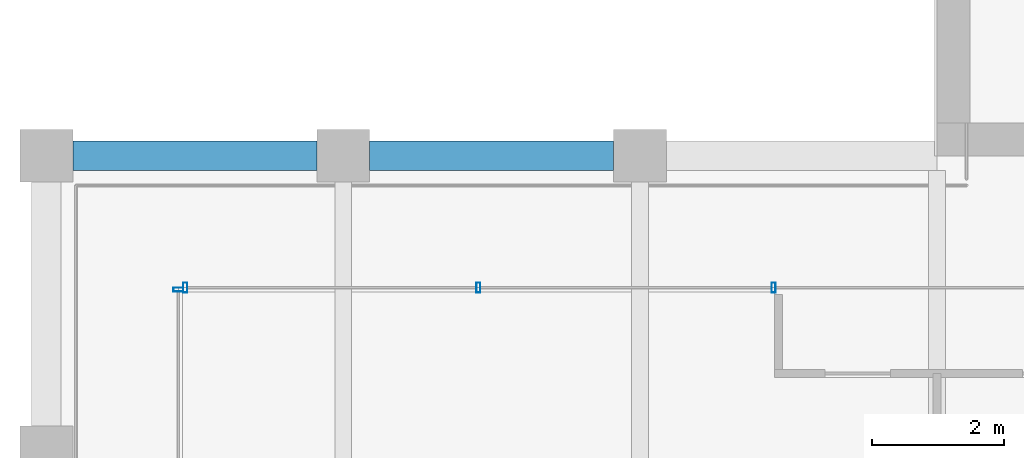
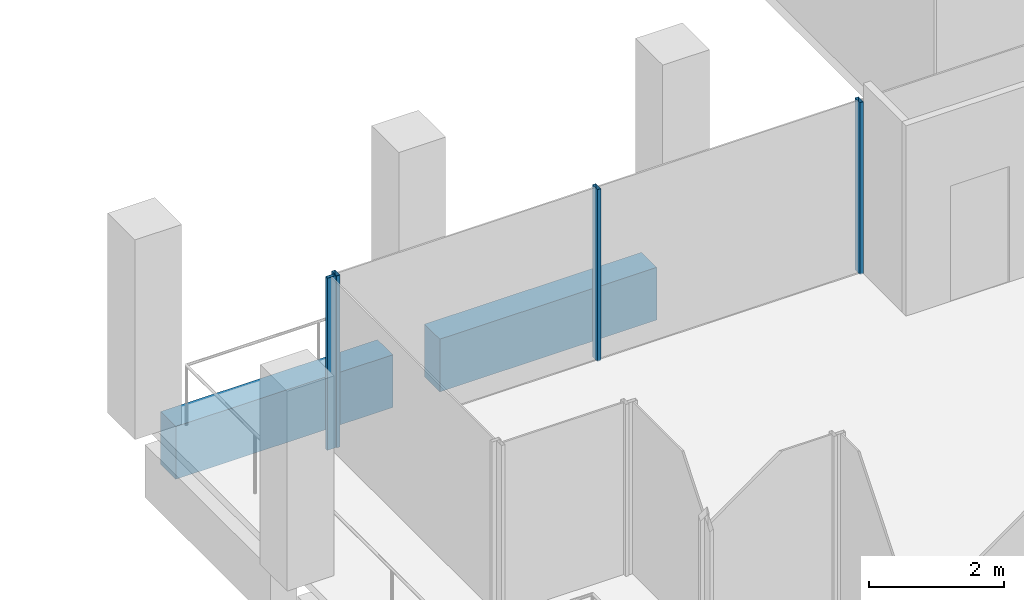
# One storey, part 5 of 30: 4 members, 2 beams, 2 elements without a shape of their own.
"""IFC4 building model written with IfcOpenShell, lengths in metres."""

import ifcopenshell
import ifcopenshell.guid

model = None  # the IFC model being written
_history = None  # IfcOwnerHistory: only IFC2X3 demands one
_inside = {}  # id of a spatial element -> (the spatial element, [elements in it])
_under = {}  # id of a project, library or spatial element -> (it, [spatial elements below it])
_declared = {}  # id of a project -> (the project, [libraries it declares])
_typed = {}  # id of a type object -> (the type object, [elements of that type])
_made_of = {}  # id of a material, layer set ... -> (it, [elements and type objects made of it])


def new_model(schema):
    """Start an empty IFC model of exactly this schema.

    Asked for "IFC4X3", IfcOpenShell would pick the latest addendum, in which some entities
    have other attributes; the version numbers below select the first issue.
    IFC2X3 requires an IfcOwnerHistory on every rooted entity: one is made here for all.
    """
    global model, _history
    if schema == "IFC4X3":
        model = ifcopenshell.file(schema_version=(4, 3, 0, 0))
    else:
        model = ifcopenshell.file(schema=schema)
    _inside.clear()
    _under.clear()
    _declared.clear()
    _typed.clear()
    _made_of.clear()
    _history = None
    if model.schema == "IFC2X3":
        org = make("IfcOrganization", Name="unknown")
        user = make(
            "IfcPersonAndOrganization",
            ThePerson=make("IfcPerson", FamilyName="unknown"),
            TheOrganization=org,
        )
        app = make(
            "IfcApplication",
            ApplicationDeveloper=org,
            Version="unknown",
            ApplicationFullName="unknown",
            ApplicationIdentifier="unknown",
        )
        _history = make(
            "IfcOwnerHistory",
            OwningUser=user,
            OwningApplication=app,
            ChangeAction="ADDED",
            CreationDate=0,
        )
    return model


def make(cls, **values):
    """One entity of the class cls with the attributes given. An attribute that is None is left unset."""
    return model.create_entity(
        cls, **{name: value for name, value in values.items() if value is not None}
    )


def rooted(cls, **values):
    """An entity with a GlobalId (a new one), such as an element, a storey or a relation."""
    return make(cls, GlobalId=ifcopenshell.guid.new(), OwnerHistory=_history, **values)


def si_unit(unit_type, name, prefix=None):
    """IfcSIUnit, for example si_unit("LENGTHUNIT", "METRE", prefix="MILLI")."""
    return make("IfcSIUnit", UnitType=unit_type, Prefix=prefix, Name=name)


def assignment(units):
    """IfcUnitAssignment: the units of a project."""
    return None if units is None else make("IfcUnitAssignment", Units=units)


def point(xyz):
    """IfcCartesianPoint."""
    return None if xyz is None else make("IfcCartesianPoint", Coordinates=xyz)


def direction(xyz):
    """IfcDirection."""
    return None if xyz is None else make("IfcDirection", DirectionRatios=xyz)


def frame(location, z_axis=None, x_axis=None):
    """IfcAxis2Placement3D, a coordinate frame: its origin and axes. An axis left out is left unset."""
    return make(
        "IfcAxis2Placement3D",
        Location=point(location),
        Axis=direction(z_axis),
        RefDirection=direction(x_axis),
    )


def frame_2d(location, x_axis=None):
    """IfcAxis2Placement2D, a coordinate frame in the plane: its origin and x axis."""
    return make(
        "IfcAxis2Placement2D", Location=point(location), RefDirection=direction(x_axis)
    )


def origin():
    """The frame at (0, 0, 0) with its axes left unset."""
    return frame((0.0, 0.0, 0.0))


def origin_2d():
    """The frame at (0, 0) in the plane with its x axis left unset."""
    return frame_2d((0.0, 0.0))


def place(relative_to, where):
    """IfcLocalPlacement: puts the frame where relative to a parent placement (None: the world)."""
    return make(
        "IfcLocalPlacement", PlacementRelTo=relative_to, RelativePlacement=where
    )


def context(
    kind, dimensions, precision=None, world=None, true_north=None, identifier=None
):
    """IfcGeometricRepresentationContext, for example the 3D "Model" context."""
    return make(
        "IfcGeometricRepresentationContext",
        ContextIdentifier=identifier,
        ContextType=kind,
        CoordinateSpaceDimension=dimensions,
        Precision=precision,
        WorldCoordinateSystem=world,
        TrueNorth=true_north,
    )


def subcontext(parent, identifier, kind, view, scale=None):
    """IfcGeometricRepresentationSubContext, for example "Body" below "Model"."""
    return make(
        "IfcGeometricRepresentationSubContext",
        ContextIdentifier=identifier,
        ContextType=kind,
        ParentContext=parent,
        TargetScale=scale,
        TargetView=view,
    )


def project(units=None, contexts=None):
    """IfcProject with its units and contexts."""
    return rooted(
        "IfcProject",
        Name="project",
        RepresentationContexts=contexts,
        UnitsInContext=assignment(units),
    )


def spatial(cls, under=None, at=None, **own):
    """A site, building, storey or space (cls), placed at a placement, below another one or the project."""
    s = rooted(cls, ObjectPlacement=at, **own)
    if under is not None:
        _under.setdefault(under.id(), (under, []))[1].append(s)
    return s


def profile(cls, at=None, kind="AREA", **sizes):
    """A parametric profile (cls). Its sizes go by their IFC names, for example OverallWidth=200.0."""
    return make(cls, ProfileType=kind, Position=at, **sizes)


def rectangle(**sizes):
    """IfcRectangleProfileDef."""
    return profile("IfcRectangleProfileDef", **sizes)


def hollow_rectangle(**sizes):
    """IfcRectangleHollowProfileDef."""
    return profile("IfcRectangleHollowProfileDef", **sizes)


def extrude(swept, where, along, depth):
    """IfcExtrudedAreaSolid: the profile swept, set in the frame where, extruded along a direction by depth."""
    return make(
        "IfcExtrudedAreaSolid",
        SweptArea=swept,
        Position=where,
        ExtrudedDirection=direction(along),
        Depth=depth,
    )


def shape(context_of_items, identifier, shape_type, items):
    """IfcShapeRepresentation: the items that make up one representation, for example the "Body"."""
    return make(
        "IfcShapeRepresentation",
        ContextOfItems=context_of_items,
        RepresentationIdentifier=identifier,
        RepresentationType=shape_type,
        Items=items,
    )


def material(Name=None, Category=None):
    """IfcMaterial."""
    return make("IfcMaterial", Name=Name, Category=Category)


def material_profile(
    of_material, cross_section, Name=None, Category=None, Priority=None
):
    """IfcMaterialProfile: a cross section and its material."""
    return make(
        "IfcMaterialProfile",
        Name=Name,
        Material=of_material,
        Profile=cross_section,
        Priority=Priority,
        Category=Category,
    )


def profile_set(profiles, Name=None, composite=None):
    """IfcMaterialProfileSet."""
    return make(
        "IfcMaterialProfileSet",
        Name=Name,
        MaterialProfiles=profiles,
        CompositeProfile=composite,
    )


def made_of(thing, what):
    """Note that an element or type object is made of a material, layer set ...; save() writes the relation."""
    if what is not None:
        _made_of.setdefault(what.id(), (what, []))[1].append(thing)
    return thing


def type_object(cls, material=None, **own):
    """A type object (cls), such as IfcWallType, which elements share."""
    return made_of(rooted(cls, **own), material)


def element(
    cls,
    number,
    at=None,
    inside=None,
    cuts=None,
    type_object=None,
    material=None,
    context=None,
    identifier="Body",
    shape_type=None,
    held_by="IfcProductDefinitionShape",
    body=None,
    shapes=None,
    **own,
):
    """One element of the class cls, such as IfcWall. Its Tag is "e" and its number.

    at: its placement. inside: the storey or other place that contains it. cuts: it is an
    opening in that element (IfcRelVoidsElement). A single representation is given by context,
    identifier, shape_type and body (its items); several are given by shapes. held_by: the class
    of the entity that holds the representations. save() writes the other relations.
    """
    e = rooted(cls, Tag="e%d" % number, ObjectPlacement=at, **own)
    if body is not None:
        shapes = [shape(context, identifier, shape_type, body)]
    if shapes is not None:
        e.Representation = make(held_by, Representations=shapes)
    if inside is not None:
        _inside.setdefault(inside.id(), (inside, []))[1].append(e)
    if cuts is not None:
        rooted(
            "IfcRelVoidsElement", RelatingBuildingElement=cuts, RelatedOpeningElement=e
        )
    if type_object is not None:
        _typed.setdefault(type_object.id(), (type_object, []))[1].append(e)
    return made_of(e, material)


def aggregate(whole, parts):
    """IfcRelAggregates: a whole, such as a stair, and the parts it consists of."""
    return rooted("IfcRelAggregates", RelatingObject=whole, RelatedObjects=parts)


def save(model, path):
    """Write the relations noted so far, then the file.

    IfcRelAggregates (storeys below a building ...), IfcRelContainedInSpatialStructure (elements
    in a storey), IfcRelDefinesByType, IfcRelAssociatesMaterial and IfcRelDeclares: one each for
    every whole, place, type object, material and project.
    """
    for whole, parts in _under.values():
        aggregate(whole, parts)
    for where, things in _inside.values():
        rooted(
            "IfcRelContainedInSpatialStructure",
            RelatedElements=things,
            RelatingStructure=where,
        )
    for kind, things in _typed.values():
        rooted("IfcRelDefinesByType", RelatedObjects=things, RelatingType=kind)
    for what, things in _made_of.values():
        rooted("IfcRelAssociatesMaterial", RelatedObjects=things, RelatingMaterial=what)
    for by, libraries in _declared.values():
        rooted("IfcRelDeclares", RelatingContext=by, RelatedDefinitions=libraries)
    model.write(path)


model = new_model("IFC4")

# Units and contexts
model_context = context("Model", 3, precision=1e-05, world=origin(), true_north=direction((0.0, 1.0)))
body_context = subcontext(model_context, "Body", "Model", "MODEL_VIEW")
ifc_project = project(units=[si_unit("LENGTHUNIT", "METRE"), si_unit("AREAUNIT", "SQUARE_METRE"), si_unit("VOLUMEUNIT", "CUBIC_METRE"), si_unit("PLANEANGLEUNIT", "RADIAN"), si_unit("MASSUNIT", "GRAM", prefix="KILO")], contexts=[model_context])

# Site, building, storey
site_placement = place(None, origin())
site = spatial("IfcSite", under=ifc_project, at=site_placement, CompositionType="ELEMENT")
building_placement = place(site_placement, origin())
building = spatial("IfcBuilding", under=site, at=building_placement, Name="Altepetl Exchange Towers", CompositionType="ELEMENT")
storey_placement = place(building_placement, frame((0.0, 0.0, 235.199951171875)))
storey = spatial("IfcBuildingStorey", under=building, at=storey_placement, Name="L60", CompositionType="ELEMENT", Elevation=235.199951171875)

# Curtain wall, members
ifc_material_1 = material(Name="Aluminium 6063-T6 glazing", Category="aluminium")
curtain_wall_type = type_object("IfcCurtainWallType", Name="Loggia glazing system", PredefinedType="NOTDEFINED", material=ifc_material_1)
curtain_wall_1_placement = place(storey_placement, origin())
curtain_wall_1 = element("IfcCurtainWall", 1, at=curtain_wall_1_placement, inside=storey, type_object=curtain_wall_type, Name="CW1 run", PredefinedType="NOTDEFINED")
ifc_material_2 = material(Name="Aluminium 6063-T6", Category="aluminium")
ifc_material_profile_1 = material_profile(ifc_material_2, hollow_rectangle(XDim=0.06005859375, YDim=0.14990234375, WallThickness=0.0029296875, at=origin_2d()), Name="Mullion 60x150 aluminium")
ifc_profile_set_1 = profile_set([ifc_material_profile_1], Name="Aluminium 6063-T6")
member_type = type_object("IfcMemberType", Name="Mullion 60x150 aluminium", PredefinedType="MULLION", material=ifc_profile_set_1)
member_1_placement = place(storey_placement, frame((38.02490234375, 38.5, 0.0), z_axis=(0.0, 0.0, 1.0), x_axis=(-1.0, 0.0, 0.0)))
member_1 = element("IfcMember", 2, at=member_1_placement, type_object=member_type, Name="MU1 mullion", PredefinedType="MULLION", context=body_context, shape_type="SweptSolid", body=[
    extrude(hollow_rectangle(XDim=0.06005859375, YDim=0.14990234375, WallThickness=0.0029296875, at=origin_2d()), origin(), (0.0, 0.0, 1.0), 3.10009765625),
])
member_2_placement = place(storey_placement, frame((33.550048828125, 38.5, 0.0), z_axis=(0.0, 0.0, 1.0), x_axis=(-1.0, 0.0, 0.0)))
member_2 = element("IfcMember", 3, at=member_2_placement, type_object=member_type, Name="MU1 mullion", PredefinedType="MULLION", context=body_context, shape_type="SweptSolid", body=[
    extrude(hollow_rectangle(XDim=0.06005859375, YDim=0.14990234375, WallThickness=0.0029296875, at=origin_2d()), origin(), (0.0, 0.0, 1.0), 3.10009765625),
])
member_3_placement = place(storey_placement, frame((29.10498046875, 38.5, 0.0), z_axis=(0.0, 0.0, 1.0), x_axis=(-1.0, 0.0, 0.0)))
member_3 = element("IfcMember", 4, at=member_3_placement, type_object=member_type, Name="MU1 mullion", PredefinedType="MULLION", context=body_context, shape_type="SweptSolid", body=[
    extrude(hollow_rectangle(XDim=0.06005859375, YDim=0.14990234375, WallThickness=0.0029296875, at=origin_2d()), origin(), (0.0, 0.0, 1.0), 3.10009765625),
])
aggregate(curtain_wall_1, [member_1, member_2, member_3])

# Curtain wall, member
curtain_wall_2_placement = place(storey_placement, origin())
curtain_wall_2 = element("IfcCurtainWall", 5, at=curtain_wall_2_placement, inside=storey, type_object=curtain_wall_type, Name="CW1 run", PredefinedType="NOTDEFINED")
member_4_placement = place(storey_placement, frame((29.0, 38.469970703125, 0.0), z_axis=(0.0, 0.0, 1.0), x_axis=(0.0, -1.0, 0.0)))
member_4 = element("IfcMember", 6, at=member_4_placement, type_object=member_type, Name="MU1 mullion", PredefinedType="MULLION", context=body_context, shape_type="SweptSolid", body=[
    extrude(hollow_rectangle(XDim=0.06005859375, YDim=0.14990234375, WallThickness=0.0029296875, at=origin_2d()), origin(), (0.0, 0.0, 1.0), 3.10009765625),
])
aggregate(curtain_wall_2, [member_4])

# Beams
ifc_material_3 = material(Name="Concrete C50/60 precast with tezontle facing", Category="concrete")
ifc_material_profile_2 = material_profile(ifc_material_3, rectangle(XDim=0.449951171875, YDim=0.949951171875, at=origin_2d()), Name="450 x 950")
ifc_profile_set_2 = profile_set([ifc_material_profile_2], Name="Concrete C50/60 precast with tezontle facing")
beam_type = type_object("IfcBeamType", Name="Spandrel beam 450x950 tezontle", PredefinedType="SPANDREL", material=ifc_profile_set_2)
for number, where, z_axis, x_axis, name in (
    (7, (35.60009765625, 40.5, -0.625), (-1.0, 0.0, 0.0), (0.0, -1.0, 0.0), "sp:A:L60:034"),
    (8, (31.10009765625, 40.5, -0.625), (-1.0, 0.0, 0.0), (0.0, -1.0, 0.0), "sp:A:L60:035"),
):
    element("IfcBeam", number, at=place(storey_placement, frame(where, z_axis=z_axis, x_axis=x_axis)), inside=storey, type_object=beam_type, Name=name, PredefinedType="SPANDREL", context=body_context, shape_type="SweptSolid", body=[
        extrude(rectangle(XDim=0.449951171875, YDim=0.949951171875, at=origin_2d()), origin(), (0.0, 0.0, 1.0), 3.7001953125),
    ])

save(model, "model.ifc")
